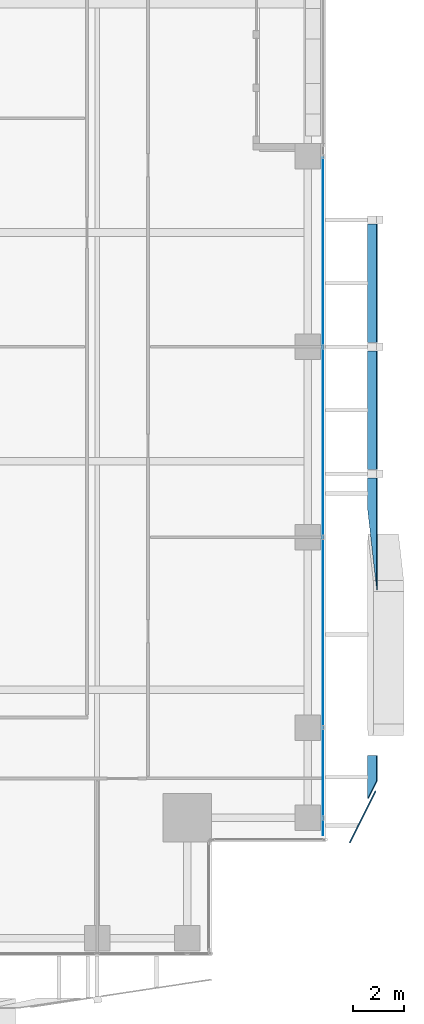
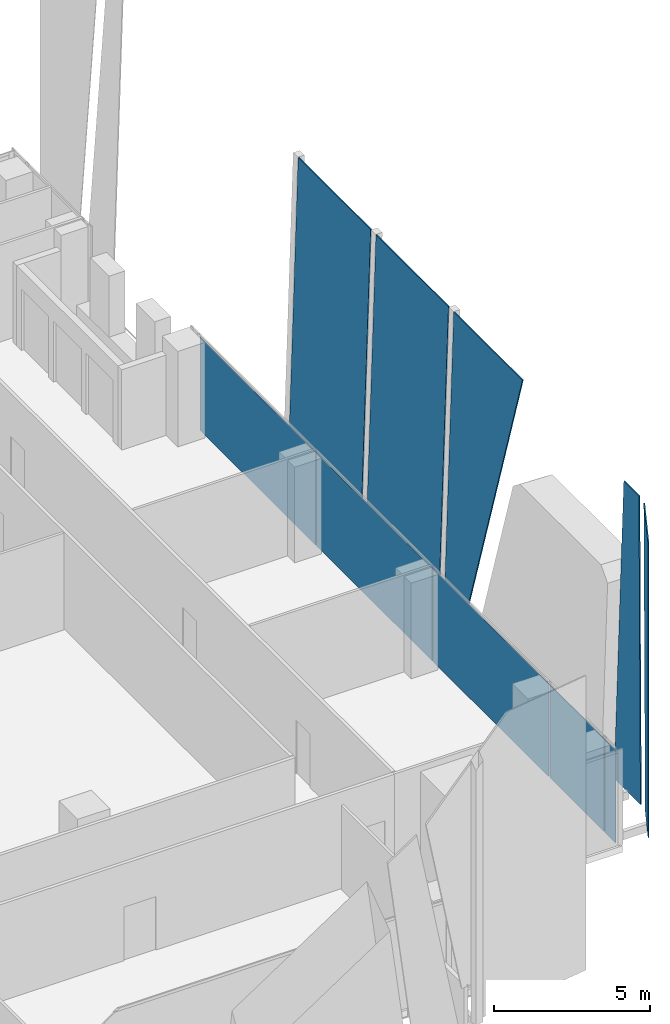
# One storey, part 25 of 35: 10 plates, 1 element without a shape of its own.
"""IFC4 building model written with IfcOpenShell, lengths in metres."""

from ifc_helpers import new_model, si_unit, direction, frame, origin, origin_2d, place, context, subcontext, project, spatial, polyline, rectangle, outline, extrude, source, transform, mapped, material, layer, layer_set, type_object, element, aggregate, save


model = new_model("IFC4")

# Units and contexts
model_context = context("Model", 3, precision=1e-05, world=origin(), true_north=direction((0.0, 1.0)))
body_context = subcontext(model_context, "Body", "Model", "MODEL_VIEW")
ifc_project = project(units=[si_unit("LENGTHUNIT", "METRE"), si_unit("AREAUNIT", "SQUARE_METRE"), si_unit("VOLUMEUNIT", "CUBIC_METRE"), si_unit("PLANEANGLEUNIT", "RADIAN"), si_unit("MASSUNIT", "GRAM", prefix="KILO")], contexts=[model_context])

# Site, building, storey
site_placement = place(None, origin())
site = spatial("IfcSite", under=ifc_project, at=site_placement, CompositionType="ELEMENT")
building_placement = place(site_placement, origin())
building = spatial("IfcBuilding", under=site, at=building_placement, Name="Khomas Fold Tower", CompositionType="ELEMENT")
storey_placement = place(building_placement, frame((0.0, 0.0, 188.699951171875)))
storey = spatial("IfcBuildingStorey", under=building, at=storey_placement, Name="L41", CompositionType="ELEMENT", Elevation=188.699951171875)

# Plates
ifc_material_1 = material(Name="Clear laminated glass", Category="glass")
ifc_layer_1 = layer(ifc_material_1, 0.0400390625)
ifc_layer_set_1 = layer_set([ifc_layer_1], Name="Clear laminated glass")
plate_type_1 = type_object("IfcPlateType", Name="SK-Clear laminated glass leaf", PredefinedType="SHEET", material=ifc_layer_set_1)
plate_1_placement = place(storey_placement, frame((52.6513671875, 10.89990234375, 0.0), z_axis=(-0.999510363794, 0.0, 0.031289497744), x_axis=(0.0, -1.0, 0.0)))
element("IfcPlate", 1, at=plate_1_placement, inside=storey, type_object=plate_type_1, Name="OUTER SKIN glass L41 EG099-1", PredefinedType="SHEET", context=body_context, shape_type="SweptSolid", body=[
    extrude(outline(polyline([(0.0, 0.0), (1.697021484375, 0.0), (0.973876953125, 11.555706920623287), (0.0, 11.555706920623287), (0.0, 0.0)])), origin(), (0.0, 0.0, -1.0), 0.0400390625),
])
plate_2_placement = place(storey_placement, frame((52.948486328125, 9.507568359375, 11.550048828125), z_axis=(-0.894427191, 0.4472135955, 0.0), x_axis=(-0.031228410225, -0.06245682045, -0.997558986714)))
element("IfcPlate", 2, at=plate_2_placement, inside=storey, type_object=plate_type_1, Name="OUTER SKIN glass L41 EG099-2", PredefinedType="SHEET", context=body_context, shape_type="SweptSolid", body=[
    extrude(outline(polyline([(0.0, 0.0), (11.578311640667549, 0.0), (11.679979328740624, 1.4524013880676347), (0.15812432325726, 2.2589279931400634), (0.0, 0.0)])), origin(), (0.0, 0.0, -1.0), 0.0400390625),
])
plate_3_placement = place(storey_placement, frame((52.6513671875, 20.626708984375, 0.0), z_axis=(-0.999510363794, 0.0, 0.031289497744), x_axis=(0.03014599118, -0.267873898668, 0.962982239519)))
element("IfcPlate", 3, at=plate_3_placement, inside=storey, type_object=plate_type_1, Name="OUTER SKIN glass L41 EG101-3", PredefinedType="SHEET", context=body_context, shape_type="SweptSolid", body=[
    extrude(outline(polyline([(0.0, 0.0), (11.994041379099615, 4.440892098500626e-16), (10.811040658152761, 4.254863054402269), (-0.32235118323550505, 1.1593907897146762), (0.0, 0.0)])), origin(), (0.0, 0.0, -1.0), 0.0400390625),
])
for number, where, z_axis, x_axis, name in (
    (4, (52.6513671875, 22.169921875, 0.0), (-0.999510363794, 0.0, 0.031289497744), (0.031289497744, 0.0, 0.999510363794), "OUTER SKIN glass L41 EG102-5"),
    (5, (52.6513671875, 27.169921875, 0.0), (-0.999510363794, 0.0, 0.031289497744), (0.031289497744, 0.0, 0.999510363794), "OUTER SKIN glass L41 EG103-7"),
):
    element("IfcPlate", number, at=place(storey_placement, frame(where, z_axis=z_axis, x_axis=x_axis)), inside=storey, type_object=plate_type_1, Name=name, PredefinedType="SHEET", context=body_context, shape_type="SweptSolid", body=[
        extrude(outline(polyline([(0.0, 0.0), (11.555706920623285, 0.0), (11.555706920623285, 4.66015625), (0.0, 4.66015625), (0.0, 0.0)])), origin(), (0.0, 0.0, -1.0), 0.0400390625),
    ])

# Curtain wall, plates
ifc_material_2 = material(Name="Aluminium framed double glazing", Category="aluminium")
curtain_wall_type = type_object("IfcCurtainWallType", Name="SK-Unitised clear-glass wall, office floors CW2", PredefinedType="NOTDEFINED", material=ifc_material_2)
curtain_wall_placement = place(storey_placement, origin())
curtain_wall = element("IfcCurtainWall", 6, at=curtain_wall_placement, inside=storey, type_object=curtain_wall_type, Name="CW2 run L41 03-0", PredefinedType="NOTDEFINED")
ifc_material_3 = material(Name="Clear double glazed unit")
ifc_layer_2 = layer(ifc_material_3, 0.030029296875)
ifc_layer_set_2 = layer_set([ifc_layer_2], Name="Clear double glazed unit")
plate_type_2 = type_object("IfcPlateType", Name="SK-Unitised clear-glass wall, office floors glass panel CW2-P", PredefinedType="CURTAIN_PANEL", material=ifc_layer_set_2)
shared_shape_1 = source(origin(), body_context, "Body", "SweptSolid", [
    extrude(rectangle(XDim=0.659912109375, YDim=0.030029296875, at=origin_2d()), origin(), (0.0, 0.0, 1.0), 3.639892578125),
])
plate_4_placement = place(storey_placement, frame((50.89990234375, 8.090087890625, 0.0), z_axis=(0.0, 0.0, 1.0), x_axis=(0.0, 1.0, 0.0)))
plate_4 = element("IfcPlate", 7, at=plate_4_placement, type_object=plate_type_2, Name="CW2 glass panel 1", PredefinedType="CURTAIN_PANEL", context=body_context, shape_type="MappedRepresentation", body=[
    mapped(shared_shape_1, transform((0.0, 0.0, 0.0))),
])
shared_shape_2 = source(origin(), body_context, "Body", "SweptSolid", [
    extrude(rectangle(XDim=3.489990234375, YDim=0.030029296875, at=origin_2d()), origin(), (0.0, 0.0, 1.0), 3.639892578125),
])
plate_5_placement = place(storey_placement, frame((50.89990234375, 10.22509765625, 0.0), z_axis=(0.0, 0.0, 1.0), x_axis=(0.0, 1.0, 0.0)))
plate_5 = element("IfcPlate", 8, at=plate_5_placement, type_object=plate_type_2, Name="CW2 glass panel 2", PredefinedType="CURTAIN_PANEL", context=body_context, shape_type="MappedRepresentation", body=[
    mapped(shared_shape_2, transform((0.0, 0.0, 0.0))),
])
shared_shape_3 = source(origin(), body_context, "Body", "SweptSolid", [
    extrude(rectangle(XDim=7.43994140625, YDim=0.030029296875, at=origin_2d()), origin(), (0.0, 0.0, 1.0), 3.639892578125),
])
plate_6_placement = place(storey_placement, frame((50.89990234375, 15.75, 0.0), z_axis=(0.0, 0.0, 1.0), x_axis=(0.0, 1.0, 0.0)))
plate_6 = element("IfcPlate", 9, at=plate_6_placement, type_object=plate_type_2, Name="CW2 glass panel 3", PredefinedType="CURTAIN_PANEL", context=body_context, shape_type="MappedRepresentation", body=[
    mapped(shared_shape_3, transform((0.0, 0.0, 0.0))),
])
plate_7_placement = place(storey_placement, frame((50.89990234375, 23.25, 0.0), z_axis=(0.0, 0.0, 1.0), x_axis=(0.0, 1.0, 0.0)))
plate_7 = element("IfcPlate", 10, at=plate_7_placement, type_object=plate_type_2, Name="CW2 glass panel 4", PredefinedType="CURTAIN_PANEL", context=body_context, shape_type="MappedRepresentation", body=[
    mapped(shared_shape_3, transform((0.0, 0.0, 0.0))),
])
plate_8_placement = place(storey_placement, frame((50.89990234375, 30.75, 0.0), z_axis=(0.0, 0.0, 1.0), x_axis=(0.0, 1.0, 0.0)))
plate_8 = element("IfcPlate", 11, at=plate_8_placement, type_object=plate_type_2, Name="CW2 glass panel 5", PredefinedType="CURTAIN_PANEL", context=body_context, shape_type="MappedRepresentation", body=[
    mapped(shared_shape_3, transform((0.0, 0.0, 0.0))),
])
aggregate(curtain_wall, [plate_4, plate_5, plate_6, plate_7, plate_8])

save(model, "model.ifc")
